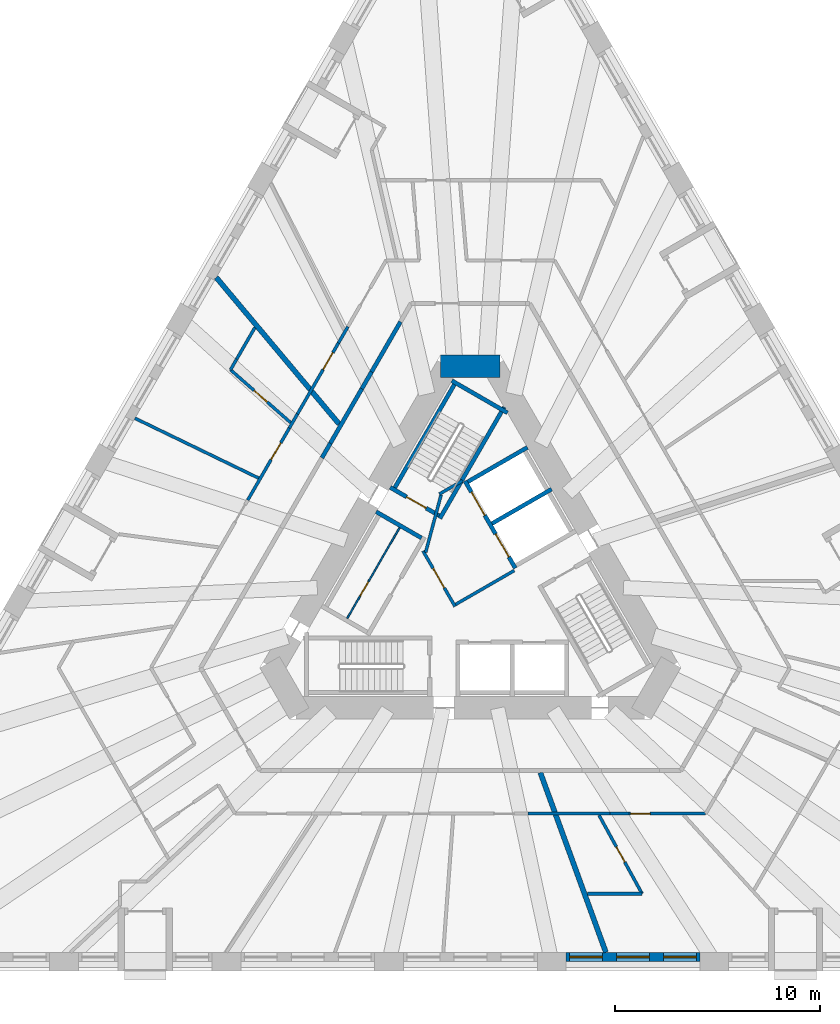
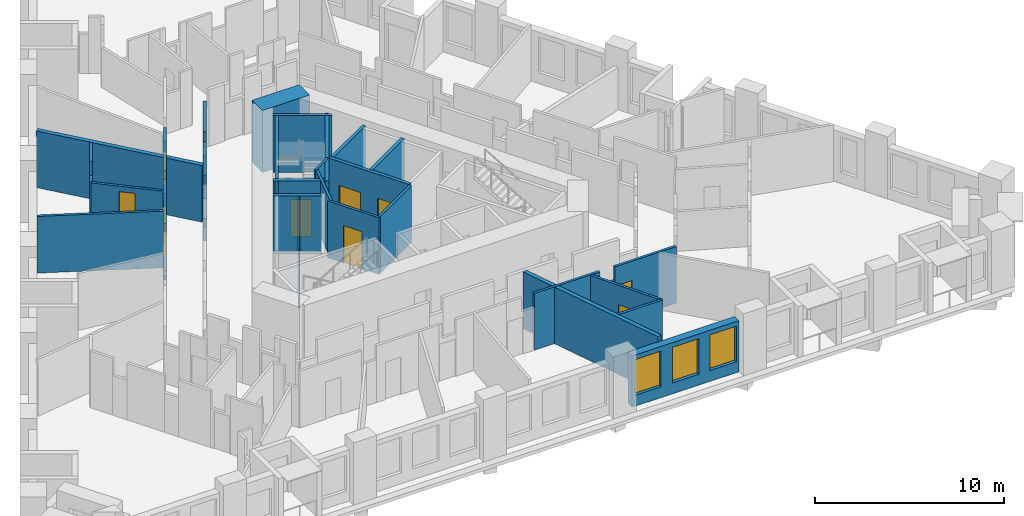
# One storey, part 5 of 14: 34 walls, 10 doors, 3 windows, 13 openings.
"""IFC4 building model written with IfcOpenShell, lengths in metres."""

from ifc_helpers import new_model, si_unit, direction, frame, frame_2d, origin, place, context, subcontext, project, spatial, rectangle, extrude, material, layer, layer_set, type_object, element, fill, save


model = new_model("IFC4")

# Units and contexts
model_context = context("Model", 3, precision=1e-05, world=origin(), true_north=direction((0.0, 1.0)))
body_context = subcontext(model_context, "Body", "Model", "MODEL_VIEW")
ifc_project = project(units=[si_unit("LENGTHUNIT", "METRE"), si_unit("AREAUNIT", "SQUARE_METRE"), si_unit("VOLUMEUNIT", "CUBIC_METRE"), si_unit("PLANEANGLEUNIT", "RADIAN"), si_unit("MASSUNIT", "GRAM", prefix="KILO")], contexts=[model_context])

# Site, building, storey
site_placement = place(None, origin())
site = spatial("IfcSite", under=ifc_project, at=site_placement, CompositionType="ELEMENT")
building_placement = place(site_placement, origin())
building = spatial("IfcBuilding", under=site, at=building_placement, Name="Tramontana Tower", CompositionType="ELEMENT")
storey_placement = place(building_placement, frame((0.0, 0.0, 38.0)))
storey = spatial("IfcBuildingStorey", under=building, at=storey_placement, Name="L07", CompositionType="ELEMENT", Elevation=38.0)

# Walls
ifc_material_1 = material(Name="Concrete 70 MPa", Category="concrete")
ifc_layer_1 = layer(ifc_material_1, 1.10009765625)
ifc_layer_set_1 = layer_set([ifc_layer_1], Name="Core wall 1100 70 MPa")
wall_type_1 = type_object("IfcWallType", Name="Core wall 1100 70 MPa", PredefinedType="SHEAR", material=ifc_layer_set_1)
wall_1_placement = place(storey_placement, frame((1.443359375, 10.449951171875, 0.0), z_axis=(0.0, 0.0, 1.0), x_axis=(-1.0, 0.0, 0.0)))
element("IfcWall", 1, at=wall_1_placement, inside=storey, type_object=wall_type_1, Name="Core wall C0 L07", PredefinedType="SHEAR", context=body_context, shape_type="SweptSolid", body=[
    extrude(rectangle(XDim=2.88671875, YDim=1.10009765625, at=frame_2d((1.443359375, 0.0))), origin(), (0.0, 0.0, 1.0), 4.0),
])
ifc_material_2 = material(Name="Blockwork", Category="masonry")
ifc_layer_2 = layer(ifc_material_2, 0.199951171875)
ifc_layer_set_2 = layer_set([ifc_layer_2], Name="ENTRY WALL 200")
wall_type_2 = type_object("IfcWallType", Name="ENTRY WALL 200", PredefinedType="SOLIDWALL", material=ifc_layer_set_2)
wall_2_placement = place(storey_placement, frame((-7.228271484375, 5.98046875, 0.0), z_axis=(0.0, 0.0, 1.0), x_axis=(0.500118501653, 0.865956976012, 0.0)))
element("IfcWall", 2, at=wall_2_placement, inside=storey, type_object=wall_type_2, Name="Wall v02-ew4-6", PredefinedType="SOLIDWALL", context=body_context, shape_type="SweptSolid", body=[
    extrude(rectangle(XDim=0.818115234375, YDim=0.199951171875, at=frame_2d((0.4091796875, 0.0))), origin(), (0.0, 0.0, 1.0), 2.75),
])
wall_3_placement = place(storey_placement, frame((-6.819091796875, 6.68896484375, 0.0), z_axis=(0.0, 0.0, 1.0), x_axis=(0.499952348839, 0.866052913447, 0.0)))
element("IfcWall", 3, at=wall_3_placement, inside=storey, type_object=wall_type_2, Name="Wall v02-ew4-7", PredefinedType="SOLIDWALL", context=body_context, shape_type="SweptSolid", body=[
    extrude(rectangle(XDim=3.064208984375, YDim=0.199951171875, at=frame_2d((1.5322265625, 0.0))), origin(), (0.0, 0.0, 1.0), 3.64990234375),
])
wall_4_placement = place(storey_placement, frame((-5.287109375, 9.3427734375, 0.0), z_axis=(0.0, 0.0, 1.0), x_axis=(0.500174821557, 0.865924446982, 0.0)))
element("IfcWall", 4, at=wall_4_placement, inside=storey, type_object=wall_type_2, Name="Wall v02-ew4-8", PredefinedType="SOLIDWALL", context=body_context, shape_type="SweptSolid", body=[
    extrude(rectangle(XDim=0.949951171875, YDim=0.199951171875, at=frame_2d((0.47509765625, 0.0))), origin(), (0.0, 0.0, 1.0), 2.75),
])
wall_5_placement = place(storey_placement, frame((-4.81201171875, 10.165283203125, 0.0), z_axis=(0.0, 0.0, 1.0), x_axis=(0.500000186108, 0.866025296335, 0.0)))
element("IfcWall", 5, at=wall_5_placement, inside=storey, type_object=wall_type_2, Name="Wall v02-ew4-9", PredefinedType="SOLIDWALL", context=body_context, shape_type="SweptSolid", body=[
    extrude(rectangle(XDim=2.8154296875, YDim=0.199951171875, at=frame_2d((1.40771484375, 0.0))), origin(), (0.0, 0.0, 1.0), 3.64990234375),
])

# Wall, openings, windows
ifc_material_3 = material(Name="Precast concrete 60 MPa", Category="concrete")
ifc_layer_3 = layer(ifc_material_3, 0.449951171875)
ifc_layer_set_3 = layer_set([ifc_layer_3], Name="Precast concrete 60 MPa, 450 mm")
wall_type_3 = type_object("IfcWallType", Name="EW1 Stone-faced precast wall 450", PredefinedType="SOLIDWALL", material=ifc_layer_set_3)
wall_6_placement = place(storey_placement, frame((4.658935546875, -18.324951171875, 0.0), z_axis=(0.0, 0.0, 1.0), x_axis=(1.0, 0.0, 0.0)))
wall_6 = element("IfcWall", 6, at=wall_6_placement, inside=storey, type_object=wall_type_3, Name="External wall L07 face 1 bay 5", PredefinedType="SOLIDWALL", context=body_context, shape_type="SweptSolid", body=[
    extrude(rectangle(XDim=6.51806640625, YDim=0.449951171875, at=frame_2d((3.259033203125, 0.0))), origin(), (0.0, 0.0, 1.0), 3.300048828125),
])
opening_1_placement = place(wall_6_placement, frame((0.169677734375, 0.0, 0.699951171875)))
opening_1 = element("IfcOpeningElement", 7, at=opening_1_placement, cuts=wall_6, Name="Opening M1", PredefinedType="OPENING", context=body_context, shape_type="SweptSolid", body=[
    extrude(rectangle(XDim=1.60009765625, YDim=2.300048828125, at=frame_2d((0.800048828125, 1.14990234375))), frame((0.0, 0.23486328125, 0.0), z_axis=(0.0, -1.0, 0.0), x_axis=(1.0, 0.0, 0.0)), (0.0, 0.0, 1.0), 0.469970703125),
])
opening_2_placement = place(wall_6_placement, frame((2.458984375, 0.0, 0.699951171875)))
opening_2 = element("IfcOpeningElement", 8, at=opening_2_placement, cuts=wall_6, Name="Opening M1", PredefinedType="OPENING", context=body_context, shape_type="SweptSolid", body=[
    extrude(rectangle(XDim=1.60009765625, YDim=2.300048828125, at=frame_2d((0.800048828125, 1.14990234375))), frame((0.0, 0.23486328125, 0.0), z_axis=(0.0, -1.0, 0.0), x_axis=(1.0, 0.0, 0.0)), (0.0, 0.0, 1.0), 0.469970703125),
])
opening_3_placement = place(wall_6_placement, frame((4.748291015625, 0.0, 0.699951171875)))
opening_3 = element("IfcOpeningElement", 9, at=opening_3_placement, cuts=wall_6, Name="Opening M1", PredefinedType="OPENING", context=body_context, shape_type="SweptSolid", body=[
    extrude(rectangle(XDim=1.60009765625, YDim=2.300048828125, at=frame_2d((0.800048828125, 1.14990234375))), frame((0.0, 0.23486328125, 0.0), z_axis=(0.0, -1.0, 0.0), x_axis=(1.0, 0.0, 0.0)), (0.0, 0.0, 1.0), 0.469970703125),
])
ifc_material_4 = material(Name="Aluminum frame, double glazing unit", Category="aluminium")
window_type = type_object("IfcWindowType", Name="M1 Window 1.6 x 2.3", PartitioningType="SINGLE_PANEL", PredefinedType="WINDOW", material=ifc_material_4)
window_1_placement = place(opening_1_placement, origin())
window_1 = element("IfcWindow", 10, at=window_1_placement, inside=storey, type_object=window_type, Name="Window M1 L07 face 1 module 13", OverallHeight=2.300048828125, OverallWidth=1.60009765625, PartitioningType="SINGLE_PANEL", PredefinedType="WINDOW", context=body_context, shape_type="SweptSolid", body=[
    extrude(rectangle(XDim=1.60009765625, YDim=2.300048828125, at=frame_2d((0.800048828125, 1.14990234375))), frame((0.0, 0.030029296875, 0.0), z_axis=(0.0, -1.0, 0.0), x_axis=(1.0, 0.0, 0.0)), (0.0, 0.0, 1.0), 0.06005859375),
])
fill(opening_1, window_1)
window_2_placement = place(opening_2_placement, origin())
window_2 = element("IfcWindow", 11, at=window_2_placement, inside=storey, type_object=window_type, Name="Window M1 L07 face 1 module 14", OverallHeight=2.300048828125, OverallWidth=1.60009765625, PartitioningType="SINGLE_PANEL", PredefinedType="WINDOW", context=body_context, shape_type="SweptSolid", body=[
    extrude(rectangle(XDim=1.60009765625, YDim=2.300048828125, at=frame_2d((0.800048828125, 1.14990234375))), frame((0.0, 0.030029296875, 0.0), z_axis=(0.0, -1.0, 0.0), x_axis=(1.0, 0.0, 0.0)), (0.0, 0.0, 1.0), 0.06005859375),
])
fill(opening_2, window_2)
window_3_placement = place(opening_3_placement, origin())
window_3 = element("IfcWindow", 12, at=window_3_placement, inside=storey, type_object=window_type, Name="Window M1 L07 face 1 module 15", OverallHeight=2.300048828125, OverallWidth=1.60009765625, PartitioningType="SINGLE_PANEL", PredefinedType="WINDOW", context=body_context, shape_type="SweptSolid", body=[
    extrude(rectangle(XDim=1.60009765625, YDim=2.300048828125, at=frame_2d((0.800048828125, 1.14990234375))), frame((0.0, 0.030029296875, 0.0), z_axis=(0.0, -1.0, 0.0), x_axis=(1.0, 0.0, 0.0)), (0.0, 0.0, 1.0), 0.06005859375),
])
fill(opening_3, window_3)

# Wall, opening, door
ifc_material_5 = material(Name="Gypsum board partition")
ifc_layer_4 = layer(ifc_material_5, 0.14990234375)
ifc_layer_set_4 = layer_set([ifc_layer_4], Name="PARTITION 150")
wall_type_4 = type_object("IfcWallType", Name="PARTITION 150", PredefinedType="PARTITIONING", material=ifc_layer_set_4)
wall_7_placement = place(storey_placement, frame((-0.744140625, -1.260986328125, 0.0), z_axis=(0.0, 0.0, 1.0), x_axis=(-0.500004234368, 0.866022959057, 0.0)))
wall_7 = element("IfcWall", 13, at=wall_7_placement, inside=storey, type_object=wall_type_4, Name="Wall ff-front", PredefinedType="PARTITIONING", context=body_context, shape_type="SweptSolid", body=[
    extrude(rectangle(XDim=3.125, YDim=0.14990234375, at=frame_2d((1.5625, 0.0))), origin(), (0.0, 0.0, 1.0), 3.64990234375),
])
opening_4_placement = place(wall_7_placement, frame((1.050048828125, 0.0, 0.0)))
opening_4 = element("IfcOpeningElement", 14, at=opening_4_placement, cuts=wall_7, Name="Opening FD1", PredefinedType="OPENING", context=body_context, shape_type="SweptSolid", body=[
    extrude(rectangle(XDim=1.10009765625, YDim=2.39990234375, at=frame_2d((0.550048828125, 1.199951171875))), frame((0.0, 0.0849609375, 0.0), z_axis=(0.0, -1.0, 0.0), x_axis=(1.0, 0.0, 0.0)), (0.0, 0.0, 1.0), 0.169921875),
])
ifc_material_6 = material(Name="Painted timber", Category="wood")
door_type_1 = type_object("IfcDoorType", Name="DOOR ENTRY 1100", OperationType="SINGLE_SWING_LEFT", PredefinedType="DOOR", material=ifc_material_6)
door_1_placement = place(opening_4_placement, origin())
door_1 = element("IfcDoor", 15, at=door_1_placement, inside=storey, type_object=door_type_1, Name="Door FD1", OperationType="SINGLE_SWING_LEFT", OverallHeight=2.39990234375, OverallWidth=1.10009765625, PredefinedType="DOOR", context=body_context, shape_type="SweptSolid", body=[
    extrude(rectangle(XDim=1.10009765625, YDim=2.39990234375, at=frame_2d((0.550048828125, 1.199951171875))), frame((0.0, 0.02490234375, 0.0), z_axis=(0.0, -1.0, 0.0), x_axis=(1.0, 0.0, 0.0)), (0.0, 0.0, 1.0), 0.050048828125),
])
fill(opening_4, door_1)

# Walls
wall_8_placement = place(storey_placement, frame((-0.716796875, -1.15869140625, 0.0), z_axis=(0.0, 0.0, 1.0), x_axis=(0.866008176907, 0.50002983664, 0.0)))
element("IfcWall", 16, at=wall_8_placement, inside=storey, type_object=wall_type_4, Name="Wall ff-end0", PredefinedType="PARTITIONING", context=body_context, shape_type="SweptSolid", body=[
    extrude(rectangle(XDim=3.300048828125, YDim=0.14990234375, at=frame_2d((1.64990234375, 0.0))), origin(), (0.0, 0.0, 1.0), 3.64990234375),
])
wall_9_placement = place(storey_placement, frame((-2.177978515625, 1.372314453125, 0.0), z_axis=(0.0, 0.0, 1.0), x_axis=(0.258808958833, 0.96592852884, 0.0)))
element("IfcWall", 17, at=wall_9_placement, inside=storey, type_object=wall_type_4, Name="Wall ff-diag", PredefinedType="PARTITIONING", context=body_context, shape_type="SweptSolid", body=[
    extrude(rectangle(XDim=2.902587890625, YDim=0.14990234375, at=frame_2d((1.451171875, 0.0))), origin(), (0.0, 0.0, 1.0), 3.64990234375),
])
wall_10_placement = place(storey_placement, frame((-1.509765625, 4.21484375, 0.0), z_axis=(0.0, 0.0, 1.0), x_axis=(0.866085525409, 0.49989585183, 0.0)))
element("IfcWall", 18, at=wall_10_placement, inside=storey, type_object=wall_type_4, Name="Wall ff-end1", PredefinedType="PARTITIONING", context=body_context, shape_type="SweptSolid", body=[
    extrude(rectangle(XDim=1.300048828125, YDim=0.14990234375, at=frame_2d((0.64990234375, 0.0))), origin(), (0.0, 0.0, 1.0), 3.64990234375),
])
wall_11_placement = place(storey_placement, frame((-16.3349609375, 7.9072265625, 0.0), z_axis=(0.0, 0.0, 1.0), x_axis=(0.900095112933, -0.435693456084, 0.0)))
element("IfcWall", 19, at=wall_11_placement, inside=storey, type_object=wall_type_4, Name="Wall v02-pw06", PredefinedType="PARTITIONING", context=body_context, shape_type="SweptSolid", body=[
    extrude(rectangle(XDim=6.69287109375, YDim=0.14990234375, at=frame_2d((3.346435546875, 0.0))), origin(), (0.0, 0.0, 1.0), 3.64990234375),
])

# Wall, opening, door
wall_12_placement = place(storey_placement, frame((-10.842529296875, 3.92041015625, 0.0), z_axis=(0.0, 0.0, 1.0), x_axis=(0.500007556608, 0.866021040931, 0.0)))
wall_12 = element("IfcWall", 20, at=wall_12_placement, inside=storey, type_object=wall_type_4, Name="Wall v02-pw08-4", PredefinedType="PARTITIONING", context=body_context, shape_type="SweptSolid", body=[
    extrude(rectangle(XDim=4.05224609375, YDim=0.14990234375, at=frame_2d((2.026123046875, 0.0))), origin(), (0.0, 0.0, 1.0), 3.64990234375),
])
opening_5_placement = place(wall_12_placement, frame((2.272705078125, 0.0, 0.0)))
opening_5 = element("IfcOpeningElement", 21, at=opening_5_placement, cuts=wall_12, Name="Opening B0C-14", PredefinedType="OPENING", context=body_context, shape_type="SweptSolid", body=[
    extrude(rectangle(XDim=0.949951171875, YDim=2.39990234375, at=frame_2d((0.47509765625, 1.199951171875))), frame((0.0, 0.0849609375, 0.0), z_axis=(0.0, -1.0, 0.0), x_axis=(1.0, 0.0, 0.0)), (0.0, 0.0, 1.0), 0.169921875),
])
ifc_material_7 = material(Name="Painted timber", Category="wood")
door_type_2 = type_object("IfcDoorType", Name="DOOR ROOM 950", OperationType="SINGLE_SWING_LEFT", PredefinedType="DOOR", material=ifc_material_7)
door_2_placement = place(opening_5_placement, origin())
door_2 = element("IfcDoor", 22, at=door_2_placement, inside=storey, type_object=door_type_2, Name="Door B0C-14", OperationType="SINGLE_SWING_RIGHT", OverallHeight=2.39990234375, OverallWidth=0.949951171875, PredefinedType="DOOR", context=body_context, shape_type="SweptSolid", body=[
    extrude(rectangle(XDim=0.949951171875, YDim=2.39990234375, at=frame_2d((0.47509765625, 1.199951171875))), frame((0.0, 0.02490234375, 0.0), z_axis=(0.0, -1.0, 0.0), x_axis=(1.0, 0.0, 0.0)), (0.0, 0.0, 1.0), 0.050048828125),
])
fill(opening_5, door_2)

# Wall
wall_13_placement = place(storey_placement, frame((-8.81640625, 7.4296875, 0.0), z_axis=(0.0, 0.0, 1.0), x_axis=(0.500015802937, 0.866016279763, 0.0)))
element("IfcWall", 23, at=wall_13_placement, inside=storey, type_object=wall_type_4, Name="Wall v02-pw08-5", PredefinedType="PARTITIONING", context=body_context, shape_type="SweptSolid", body=[
    extrude(rectangle(XDim=0.79248046875, YDim=0.14990234375, at=frame_2d((0.396240234375, 0.0))), origin(), (0.0, 0.0, 1.0), 2.75),
])

# Wall, opening, door
wall_14_placement = place(storey_placement, frame((-8.420166015625, 8.115966796875, 0.0), z_axis=(0.0, 0.0, 1.0), x_axis=(0.500010364181, 0.866019419939, 0.0)))
wall_14 = element("IfcWall", 24, at=wall_14_placement, inside=storey, type_object=wall_type_4, Name="Wall v02-pw08-6", PredefinedType="PARTITIONING", context=body_context, shape_type="SweptSolid", body=[
    extrude(rectangle(XDim=3.98828125, YDim=0.14990234375, at=frame_2d((1.994140625, 0.0))), origin(), (0.0, 0.0, 1.0), 3.64990234375),
])
opening_6_placement = place(wall_14_placement, frame((2.500244140625, 0.0, 0.0)))
opening_6 = element("IfcOpeningElement", 25, at=opening_6_placement, cuts=wall_14, Name="Opening B0C-08", PredefinedType="OPENING", context=body_context, shape_type="SweptSolid", body=[
    extrude(rectangle(XDim=0.949951171875, YDim=2.39990234375, at=frame_2d((0.47509765625, 1.199951171875))), frame((0.0, 0.0849609375, 0.0), z_axis=(0.0, -1.0, 0.0), x_axis=(1.0, 0.0, 0.0)), (0.0, 0.0, 1.0), 0.169921875),
])
door_3_placement = place(opening_6_placement, origin())
door_3 = element("IfcDoor", 26, at=door_3_placement, inside=storey, type_object=door_type_2, Name="Door B0C-08", OperationType="SINGLE_SWING_RIGHT", OverallHeight=2.39990234375, OverallWidth=0.949951171875, PredefinedType="DOOR", context=body_context, shape_type="SweptSolid", body=[
    extrude(rectangle(XDim=0.949951171875, YDim=2.39990234375, at=frame_2d((0.47509765625, 1.199951171875))), frame((0.0, 0.02490234375, 0.0), z_axis=(0.0, -1.0, 0.0), x_axis=(1.0, 0.0, 0.0)), (0.0, 0.0, 1.0), 0.050048828125),
])
fill(opening_6, door_3)

# Walls
wall_15_placement = place(storey_placement, frame((-6.426025390625, 11.56982421875, 0.0), z_axis=(0.0, 0.0, 1.0), x_axis=(0.499990325971, 0.866030989016, 0.0)))
element("IfcWall", 27, at=wall_15_placement, inside=storey, type_object=wall_type_4, Name="Wall v02-pw08-7", PredefinedType="PARTITIONING", context=body_context, shape_type="SweptSolid", body=[
    extrude(rectangle(XDim=0.92041015625, YDim=0.14990234375, at=frame_2d((0.460205078125, 0.0))), origin(), (0.0, 0.0, 1.0), 2.75),
])
wall_16_placement = place(storey_placement, frame((-11.68115234375, 10.267578125, 0.0), z_axis=(0.0, 0.0, 1.0), x_axis=(0.499992664208, 0.866029639064, 0.0)))
element("IfcWall", 28, at=wall_16_placement, inside=storey, type_object=wall_type_4, Name="Wall v02-pw13-0", PredefinedType="PARTITIONING", context=body_context, shape_type="SweptSolid", body=[
    extrude(rectangle(XDim=0.599609375, YDim=0.14990234375, at=frame_2d((0.2998046875, 0.0))), origin(), (0.0, 0.0, 1.0), 2.75),
])
wall_17_placement = place(storey_placement, frame((-11.38134765625, 10.786865234375, 0.0), z_axis=(0.0, 0.0, 1.0), x_axis=(0.50004387232, 0.866000072607, 0.0)))
element("IfcWall", 29, at=wall_17_placement, inside=storey, type_object=wall_type_4, Name="Wall v02-pw13-1", PredefinedType="PARTITIONING", context=body_context, shape_type="SweptSolid", body=[
    extrude(rectangle(XDim=1.775146484375, YDim=0.14990234375, at=frame_2d((0.8876953125, 0.0))), origin(), (0.0, 0.0, 1.0), 3.64990234375),
])

# Wall, opening, door
wall_18_placement = place(storey_placement, frame((-11.68115234375, 10.267578125, 0.0), z_axis=(0.0, 0.0, 1.0), x_axis=(0.751113172237, -0.660173463941, 0.0)))
wall_18 = element("IfcWall", 30, at=wall_18_placement, inside=storey, type_object=wall_type_4, Name="Wall v02-pw15-0", PredefinedType="PARTITIONING", context=body_context, shape_type="SweptSolid", body=[
    extrude(rectangle(XDim=3.90087890625, YDim=0.14990234375, at=frame_2d((1.950439453125, 0.0))), origin(), (0.0, 0.0, 1.0), 2.75),
])
opening_7_placement = place(wall_18_placement, frame((1.525390625, 0.0, 0.0)))
opening_7 = element("IfcOpeningElement", 31, at=opening_7_placement, cuts=wall_18, Name="Opening B0C-19", PredefinedType="OPENING", context=body_context, shape_type="SweptSolid", body=[
    extrude(rectangle(XDim=0.85009765625, YDim=2.39990234375, at=frame_2d((0.425048828125, 1.199951171875))), frame((0.0, 0.0849609375, 0.0), z_axis=(0.0, -1.0, 0.0), x_axis=(1.0, 0.0, 0.0)), (0.0, 0.0, 1.0), 0.169921875),
])
ifc_material_8 = material(Name="Painted timber", Category="wood")
door_type_3 = type_object("IfcDoorType", Name="DOOR BATH 850", OperationType="SINGLE_SWING_LEFT", PredefinedType="DOOR", material=ifc_material_8)
door_4_placement = place(opening_7_placement, origin())
door_4 = element("IfcDoor", 32, at=door_4_placement, inside=storey, type_object=door_type_3, Name="Door B0C-19", OperationType="SINGLE_SWING_LEFT", OverallHeight=2.39990234375, OverallWidth=0.85009765625, PredefinedType="DOOR", context=body_context, shape_type="SweptSolid", body=[
    extrude(rectangle(XDim=0.85009765625, YDim=2.39990234375, at=frame_2d((0.425048828125, 1.199951171875))), frame((0.0, 0.02490234375, 0.0), z_axis=(0.0, -1.0, 0.0), x_axis=(1.0, 0.0, 0.0)), (0.0, 0.0, 1.0), 0.050048828125),
])
fill(opening_7, door_4)

wall_19_placement = place(storey_placement, frame((8.364013671875, -15.25, 0.0), z_axis=(0.0, 0.0, 1.0), x_axis=(-0.480850654198, 0.876802513887, 0.0)))
wall_19 = element("IfcWall", 33, at=wall_19_placement, inside=storey, type_object=wall_type_4, Name="Wall v02-pw32", PredefinedType="PARTITIONING", context=body_context, shape_type="SweptSolid", body=[
    extrude(rectangle(XDim=4.3623046875, YDim=0.14990234375, at=frame_2d((2.18115234375, 0.0))), origin(), (0.0, 0.0, 1.0), 3.64990234375),
])
opening_8_placement = place(wall_19_placement, frame((1.75634765625, 0.0, 0.0)))
opening_8 = element("IfcOpeningElement", 34, at=opening_8_placement, cuts=wall_19, Name="Opening B0C-26", PredefinedType="OPENING", context=body_context, shape_type="SweptSolid", body=[
    extrude(rectangle(XDim=0.85009765625, YDim=2.39990234375, at=frame_2d((0.425048828125, 1.199951171875))), frame((0.0, 0.0849609375, 0.0), z_axis=(0.0, -1.0, 0.0), x_axis=(1.0, 0.0, 0.0)), (0.0, 0.0, 1.0), 0.169921875),
])
door_5_placement = place(opening_8_placement, origin())
door_5 = element("IfcDoor", 35, at=door_5_placement, inside=storey, type_object=door_type_3, Name="Door B0C-26", OperationType="SINGLE_SWING_RIGHT", OverallHeight=2.39990234375, OverallWidth=0.85009765625, PredefinedType="DOOR", context=body_context, shape_type="SweptSolid", body=[
    extrude(rectangle(XDim=0.85009765625, YDim=2.39990234375, at=frame_2d((0.425048828125, 1.199951171875))), frame((0.0, 0.02490234375, 0.0), z_axis=(0.0, -1.0, 0.0), x_axis=(1.0, 0.0, 0.0)), (0.0, 0.0, 1.0), 0.050048828125),
])
fill(opening_8, door_5)

# Wall
wall_20_placement = place(storey_placement, frame((8.364013671875, -15.25, 0.0), z_axis=(0.0, 0.0, 1.0), x_axis=(-1.0, 0.0, 0.0)))
element("IfcWall", 36, at=wall_20_placement, inside=storey, type_object=wall_type_4, Name="Wall v02-pw34", PredefinedType="PARTITIONING", context=body_context, shape_type="SweptSolid", body=[
    extrude(rectangle(XDim=2.671630859375, YDim=0.14990234375, at=frame_2d((1.3359375, 0.0))), origin(), (0.0, 0.0, 1.0), 3.64990234375),
])

# Wall, opening, door
wall_21_placement = place(storey_placement, frame((11.46044921875, -11.35009765625, 0.0), z_axis=(0.0, 0.0, 1.0), x_axis=(-1.0, 0.0, 0.0)))
wall_21 = element("IfcWall", 37, at=wall_21_placement, inside=storey, type_object=wall_type_4, Name="Wall v02-pw37-0", PredefinedType="PARTITIONING", context=body_context, shape_type="SweptSolid", body=[
    extrude(rectangle(XDim=3.7333984375, YDim=0.14990234375, at=frame_2d((1.86669921875, 0.0))), origin(), (0.0, 0.0, 1.0), 3.64990234375),
])
opening_9_placement = place(wall_21_placement, frame((2.70751953125, 0.0, 0.0)))
opening_9 = element("IfcOpeningElement", 38, at=opening_9_placement, cuts=wall_21, Name="Opening B0C-23", PredefinedType="OPENING", context=body_context, shape_type="SweptSolid", body=[
    extrude(rectangle(XDim=0.949951171875, YDim=2.39990234375, at=frame_2d((0.47509765625, 1.199951171875))), frame((0.0, 0.0849609375, 0.0), z_axis=(0.0, -1.0, 0.0), x_axis=(1.0, 0.0, 0.0)), (0.0, 0.0, 1.0), 0.169921875),
])
door_6_placement = place(opening_9_placement, origin())
door_6 = element("IfcDoor", 39, at=door_6_placement, inside=storey, type_object=door_type_2, Name="Door B0C-23", OperationType="SINGLE_SWING_LEFT", OverallHeight=2.39990234375, OverallWidth=0.949951171875, PredefinedType="DOOR", context=body_context, shape_type="SweptSolid", body=[
    extrude(rectangle(XDim=0.949951171875, YDim=2.39990234375, at=frame_2d((0.47509765625, 1.199951171875))), frame((0.0, 0.02490234375, 0.0), z_axis=(0.0, -1.0, 0.0), x_axis=(1.0, 0.0, 0.0)), (0.0, 0.0, 1.0), 0.050048828125),
])
fill(opening_9, door_6)

# Walls
wall_22_placement = place(storey_placement, frame((7.72705078125, -11.35009765625, 0.0), z_axis=(0.0, 0.0, 1.0), x_axis=(-1.0, 0.0, 0.0)))
element("IfcWall", 40, at=wall_22_placement, inside=storey, type_object=wall_type_4, Name="Wall v02-pw37-1", PredefinedType="PARTITIONING", context=body_context, shape_type="SweptSolid", body=[
    extrude(rectangle(XDim=0.920166015625, YDim=0.14990234375, at=frame_2d((0.4599609375, 0.0))), origin(), (0.0, 0.0, 1.0), 2.75),
])
wall_23_placement = place(storey_placement, frame((6.806884765625, -11.35009765625, 0.0), z_axis=(0.0, 0.0, 1.0), x_axis=(-1.0, 0.0, 0.0)))
element("IfcWall", 41, at=wall_23_placement, inside=storey, type_object=wall_type_4, Name="Wall v02-pw37-2", PredefinedType="PARTITIONING", context=body_context, shape_type="SweptSolid", body=[
    extrude(rectangle(XDim=3.98828125, YDim=0.14990234375, at=frame_2d((1.994140625, 0.0))), origin(), (0.0, 0.0, 1.0), 3.64990234375),
])

# Wall, opening, door
ifc_material_9 = material(Name="Gypsum board partition")
ifc_layer_5 = layer(ifc_material_9, 0.080078125)
ifc_layer_set_5 = layer_set([ifc_layer_5], Name="PARTITION 80")
wall_type_5 = type_object("IfcWallType", Name="PARTITION 80", PredefinedType="PARTITIONING", material=ifc_layer_set_5)
wall_24_placement = place(storey_placement, frame((-5.997314453125, -1.837646484375, 0.0), z_axis=(0.0, 0.0, 1.0), x_axis=(0.500005610874, 0.86602216432, 0.0)))
wall_24 = element("IfcWall", 42, at=wall_24_placement, inside=storey, type_object=wall_type_5, Name="Wall row0-split", PredefinedType="PARTITIONING", context=body_context, shape_type="SweptSolid", body=[
    extrude(rectangle(XDim=5.10009765625, YDim=0.080078125, at=frame_2d((2.550048828125, 0.0))), origin(), (0.0, 0.0, 1.0), 3.64990234375),
])
opening_10_placement = place(wall_24_placement, frame((1.25, 0.0, 0.0)))
opening_10 = element("IfcOpeningElement", 43, at=opening_10_placement, cuts=wall_24, Name="Opening RD-0B", PredefinedType="OPENING", context=body_context, shape_type="SweptSolid", body=[
    extrude(rectangle(XDim=0.800048828125, YDim=2.10009765625, at=frame_2d((0.39990234375, 1.050048828125))), frame((0.0, 0.050048828125, 0.0), z_axis=(0.0, -1.0, 0.0), x_axis=(1.0, 0.0, 0.0)), (0.0, 0.0, 1.0), 0.10009765625),
])
ifc_material_10 = material(Name="Painted steel", Category="steel")
door_type_4 = type_object("IfcDoorType", Name="CUPBOARD DOOR 800", OperationType="SINGLE_SWING_LEFT", PredefinedType="DOOR", material=ifc_material_10)
door_7_placement = place(opening_10_placement, origin())
door_7 = element("IfcDoor", 44, at=door_7_placement, inside=storey, type_object=door_type_4, Name="Door RD-0B", OperationType="SINGLE_SWING_RIGHT", OverallHeight=2.10009765625, OverallWidth=0.800048828125, PredefinedType="DOOR", context=body_context, shape_type="SweptSolid", body=[
    extrude(rectangle(XDim=0.800048828125, YDim=2.10009765625, at=frame_2d((0.39990234375, 1.050048828125))), frame((0.0, 0.02490234375, 0.0), z_axis=(0.0, -1.0, 0.0), x_axis=(1.0, 0.0, 0.0)), (0.0, 0.0, 1.0), 0.050048828125),
])
fill(opening_10, door_7)

# Walls
ifc_material_11 = material(Name="Blockwork", Category="masonry")
ifc_layer_6 = layer(ifc_material_11, 0.25)
ifc_layer_set_6 = layer_set([ifc_layer_6], Name="PARTY WALL 250")
wall_type_6 = type_object("IfcWallType", Name="PARTY WALL 250", PredefinedType="SOLIDWALL", material=ifc_layer_set_6)
for number, where, z_axis, x_axis, name in (
    (45, (-6.39306640625, 7.626953125, 0.0), (0.0, 0.0, 1.0), (-0.642401756601, 0.766368046774, 0.0), "Wall v02-pw17"),
    (46, (3.408447265625, -9.35009765625, 0.0), (0.0, 0.0, 1.0), (0.3425132981, -0.939512980552, 0.0), "Wall v02-pw30"),
):
    element("IfcWall", number, at=place(storey_placement, frame(where, z_axis=z_axis, x_axis=x_axis)), inside=storey, type_object=wall_type_6, Name=name, PredefinedType="SOLIDWALL", context=body_context, shape_type="SweptSolid", body=[
        extrude(rectangle(XDim=9.313232421875, YDim=0.25, at=frame_2d((4.65673828125, 0.0))), origin(), (0.0, 0.0, 1.0), 3.64990234375),
    ])
ifc_material_12 = material(Name="Concrete 70 MPa", Category="concrete")
ifc_layer_7 = layer(ifc_material_12, 0.199951171875)
ifc_layer_set_7 = layer_set([ifc_layer_7], Name="Concrete 70 MPa, 200 mm")
wall_type_7 = type_object("IfcWallType", Name="RC SHAFT BACK WALL 200", PredefinedType="SOLIDWALL", material=ifc_layer_set_7)
wall_25_placement = place(storey_placement, frame((-0.679931640625, 9.722412109375, 0.0), z_axis=(0.0, 0.0, 1.0), x_axis=(-0.49998037582, -0.866036733513, 0.0)))
element("IfcWall", 47, at=wall_25_placement, inside=storey, type_object=wall_type_7, Name="Wall st1-back", PredefinedType="SOLIDWALL", context=body_context, shape_type="SweptSolid", body=[
    extrude(rectangle(XDim=6.199951171875, YDim=0.199951171875, at=frame_2d((3.10009765625, 0.0))), origin(), (0.0, 0.0, 1.0), 3.64990234375),
])
ifc_material_13 = material(Name="Concrete 70 MPa", Category="concrete")
ifc_layer_8 = layer(ifc_material_13, 0.199951171875)
ifc_layer_set_8 = layer_set([ifc_layer_8], Name="Concrete 70 MPa, 200 mm")
wall_type_8 = type_object("IfcWallType", Name="RC STAIR AND SHAFT WALL 200", PredefinedType="SOLIDWALL", material=ifc_layer_set_8)
wall_26_placement = place(storey_placement, frame((1.6455078125, 8.449951171875, 0.0), z_axis=(0.0, 0.0, 1.0), x_axis=(-0.500006002103, -0.866021938441, 0.0)))
element("IfcWall", 48, at=wall_26_placement, inside=storey, type_object=wall_type_8, Name="Wall st1-front", PredefinedType="SOLIDWALL", context=body_context, shape_type="SweptSolid", body=[
    extrude(rectangle(XDim=6.2607421875, YDim=0.199951171875, at=frame_2d((3.13037109375, 0.0))), origin(), (0.0, 0.0, 1.0), 3.64990234375),
])
wall_27_placement = place(storey_placement, frame((1.80615234375, 8.171875, 0.0), z_axis=(0.0, 0.0, 1.0), x_axis=(-0.866054327916, 0.499949898588, 0.0)))
element("IfcWall", 49, at=wall_27_placement, inside=storey, type_object=wall_type_8, Name="Wall st1-far", PredefinedType="SOLIDWALL", context=body_context, shape_type="SweptSolid", body=[
    extrude(rectangle(XDim=3.128173828125, YDim=0.199951171875, at=frame_2d((1.56396484375, 0.0))), origin(), (0.0, 0.0, 1.0), 3.64990234375),
])

# Wall, opening, door
wall_28_placement = place(storey_placement, frame((-1.521484375, 3.164794921875, 0.0), z_axis=(0.0, 0.0, 1.0), x_axis=(-0.866027397988, 0.499996545922, 0.0)))
wall_28 = element("IfcWall", 50, at=wall_28_placement, inside=storey, type_object=wall_type_8, Name="Wall st1-near", PredefinedType="SOLIDWALL", context=body_context, shape_type="SweptSolid", body=[
    extrude(rectangle(XDim=2.75, YDim=0.199951171875, at=frame_2d((1.375, 0.0))), origin(), (0.0, 0.0, 1.0), 3.64990234375),
])
opening_11_placement = place(wall_28_placement, frame((0.72509765625, 0.0, 0.0)))
opening_11 = element("IfcOpeningElement", 51, at=opening_11_placement, cuts=wall_28, Name="Opening SD1", PredefinedType="OPENING", context=body_context, shape_type="SweptSolid", body=[
    extrude(rectangle(XDim=1.10009765625, YDim=2.39990234375, at=frame_2d((0.550048828125, 1.199951171875))), frame((0.0, 0.10986328125, 0.0), z_axis=(0.0, -1.0, 0.0), x_axis=(1.0, 0.0, 0.0)), (0.0, 0.0, 1.0), 0.219970703125),
])
ifc_material_14 = material(Name="Painted steel", Category="steel")
door_type_5 = type_object("IfcDoorType", Name="STAIR DOOR 1100", OperationType="SINGLE_SWING_LEFT", PredefinedType="DOOR", material=ifc_material_14)
door_8_placement = place(opening_11_placement, origin())
door_8 = element("IfcDoor", 52, at=door_8_placement, inside=storey, type_object=door_type_5, Name="Door SD1", OperationType="SINGLE_SWING_RIGHT", OverallHeight=2.39990234375, OverallWidth=1.10009765625, PredefinedType="DOOR", context=body_context, shape_type="SweptSolid", body=[
    extrude(rectangle(XDim=1.10009765625, YDim=2.39990234375, at=frame_2d((0.550048828125, 1.199951171875))), frame((0.0, 0.02490234375, 0.0), z_axis=(0.0, -1.0, 0.0), x_axis=(1.0, 0.0, 0.0)), (0.0, 0.0, 1.0), 0.050048828125),
])
fill(opening_11, door_8)

# Wall
wall_29_placement = place(storey_placement, frame((-2.379638671875, 2.078369140625, 0.0), z_axis=(0.0, 0.0, 1.0), x_axis=(-0.866054858364, 0.499948979701, 0.0)))
element("IfcWall", 53, at=wall_29_placement, inside=storey, type_object=wall_type_8, Name="Wall row0-side0", PredefinedType="SOLIDWALL", context=body_context, shape_type="SweptSolid", body=[
    extrude(rectangle(XDim=2.550048828125, YDim=0.199951171875, at=frame_2d((1.27490234375, 0.0))), origin(), (0.0, 0.0, 1.0), 3.64990234375),
])

# Wall, openings, doors
wall_30_placement = place(storey_placement, frame((2.190185546875, 0.6064453125, 0.0), z_axis=(0.0, 0.0, 1.0), x_axis=(-0.500002801628, 0.866023786258, 0.0)))
wall_30 = element("IfcWall", 54, at=wall_30_placement, inside=storey, type_object=wall_type_8, Name="Wall row2-front", PredefinedType="SOLIDWALL", context=body_context, shape_type="SweptSolid", body=[
    extrude(rectangle(XDim=4.89990234375, YDim=0.199951171875, at=frame_2d((2.449951171875, 0.0))), origin(), (0.0, 0.0, 1.0), 3.64990234375),
])
opening_12_placement = place(wall_30_placement, frame((0.625, 0.0, 0.0)))
opening_12 = element("IfcOpeningElement", 55, at=opening_12_placement, cuts=wall_30, Name="Opening LD-F1", PredefinedType="OPENING", context=body_context, shape_type="SweptSolid", body=[
    extrude(rectangle(XDim=1.300048828125, YDim=2.10009765625, at=frame_2d((0.64990234375, 1.050048828125))), frame((0.0, 0.10986328125, 0.0), z_axis=(0.0, -1.0, 0.0), x_axis=(1.0, 0.0, 0.0)), (0.0, 0.0, 1.0), 0.219970703125),
])
opening_13_placement = place(wall_30_placement, frame((2.97509765625, 0.0, 0.0)))
opening_13 = element("IfcOpeningElement", 56, at=opening_13_placement, cuts=wall_30, Name="Opening LD-F2", PredefinedType="OPENING", context=body_context, shape_type="SweptSolid", body=[
    extrude(rectangle(XDim=1.300048828125, YDim=2.10009765625, at=frame_2d((0.64990234375, 1.050048828125))), frame((0.0, 0.10986328125, 0.0), z_axis=(0.0, -1.0, 0.0), x_axis=(1.0, 0.0, 0.0)), (0.0, 0.0, 1.0), 0.219970703125),
])
ifc_material_15 = material(Name="Brushed steel", Category="steel")
door_type_6 = type_object("IfcDoorType", Name="LANDING DOOR 1300", OperationType="SINGLE_SWING_LEFT", PredefinedType="DOOR", material=ifc_material_15)
door_9_placement = place(opening_12_placement, origin())
door_9 = element("IfcDoor", 57, at=door_9_placement, inside=storey, type_object=door_type_6, Name="Door LD-F1", OperationType="SLIDING_TO_LEFT", OverallHeight=2.10009765625, OverallWidth=1.300048828125, PredefinedType="DOOR", context=body_context, shape_type="SweptSolid", body=[
    extrude(rectangle(XDim=1.300048828125, YDim=2.10009765625, at=frame_2d((0.64990234375, 1.050048828125))), frame((0.0, 0.02490234375, 0.0), z_axis=(0.0, -1.0, 0.0), x_axis=(1.0, 0.0, 0.0)), (0.0, 0.0, 1.0), 0.050048828125),
])
fill(opening_12, door_9)
door_10_placement = place(opening_13_placement, origin())
door_10 = element("IfcDoor", 58, at=door_10_placement, inside=storey, type_object=door_type_6, Name="Door LD-F2", OperationType="SLIDING_TO_RIGHT", OverallHeight=2.10009765625, OverallWidth=1.300048828125, PredefinedType="DOOR", context=body_context, shape_type="SweptSolid", body=[
    extrude(rectangle(XDim=1.300048828125, YDim=2.10009765625, at=frame_2d((0.64990234375, 1.050048828125))), frame((0.0, 0.02490234375, 0.0), z_axis=(0.0, -1.0, 0.0), x_axis=(1.0, 0.0, 0.0)), (0.0, 0.0, 1.0), 0.050048828125),
])
fill(opening_13, door_10)

# Walls
wall_31_placement = place(storey_placement, frame((1.0517578125, 2.778076171875, 0.0), z_axis=(0.0, 0.0, 1.0), x_axis=(0.866032680314, 0.499987396469, 0.0)))
element("IfcWall", 59, at=wall_31_placement, inside=storey, type_object=wall_type_8, Name="Wall row2-side1", PredefinedType="SOLIDWALL", context=body_context, shape_type="SweptSolid", body=[
    extrude(rectangle(XDim=3.35009765625, YDim=0.199951171875, at=frame_2d((1.675048828125, 0.0))), origin(), (0.0, 0.0, 1.0), 3.64990234375),
])
wall_32_placement = place(storey_placement, frame((-0.123046875, 4.813232421875, 0.0), z_axis=(0.0, 0.0, 1.0), x_axis=(0.866014461049, 0.500018952895, 0.0)))
element("IfcWall", 60, at=wall_32_placement, inside=storey, type_object=wall_type_8, Name="Wall row2-side2", PredefinedType="SOLIDWALL", context=body_context, shape_type="SweptSolid", body=[
    extrude(rectangle(XDim=3.349853515625, YDim=0.199951171875, at=frame_2d((1.6748046875, 0.0))), origin(), (0.0, 0.0, 1.0), 3.64990234375),
])

save(model, "model.ifc")
